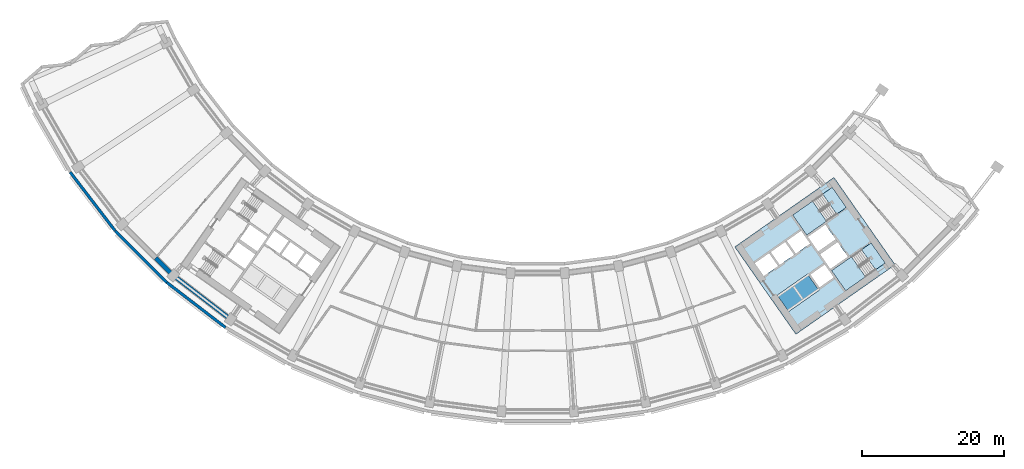
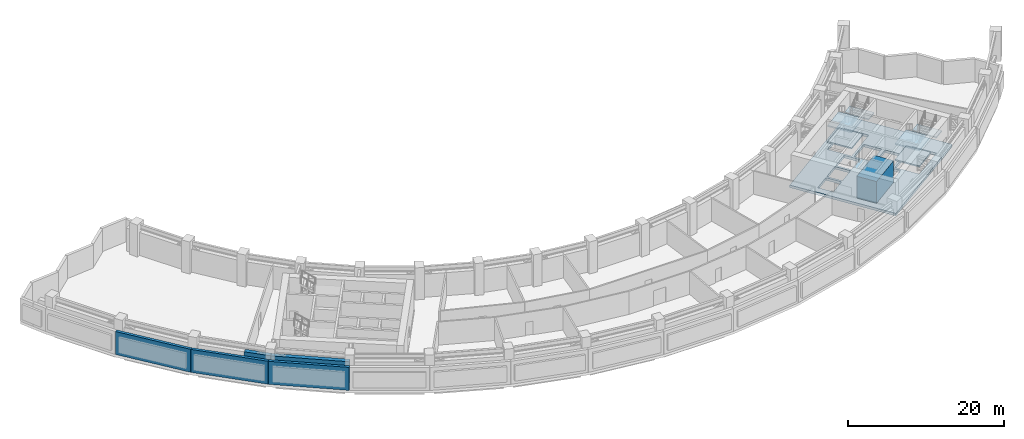
# One storey, part 5 of 25: 8 slabs, 5 walls, 2 elements without a shape of their own.
"""IFC4 building model written with IfcOpenShell, lengths in metres."""

from ifc_helpers import new_model, si_unit, direction, frame, frame_2d, origin, place, context, subcontext, project, spatial, polyline, rectangle, outline, extrude, material, layer, layer_set, type_object, element, aggregate, save


model = new_model("IFC4")

# Units and contexts
model_context = context("Model", 3, precision=1e-05, world=origin(), true_north=direction((0.0, 1.0)))
body_context = subcontext(model_context, "Body", "Model", "MODEL_VIEW")
ifc_project = project(units=[si_unit("LENGTHUNIT", "METRE"), si_unit("AREAUNIT", "SQUARE_METRE"), si_unit("VOLUMEUNIT", "CUBIC_METRE"), si_unit("PLANEANGLEUNIT", "RADIAN"), si_unit("MASSUNIT", "GRAM", prefix="KILO")], contexts=[model_context])

# Site, building, storey
site_placement = place(None, origin())
site = spatial("IfcSite", under=ifc_project, at=site_placement, CompositionType="ELEMENT")
building_placement = place(site_placement, origin())
building = spatial("IfcBuilding", under=site, at=building_placement, Name="Qamariyya Broadcast Tower", CompositionType="ELEMENT")
storey_placement = place(building_placement, frame((0.0, 0.0, 144.300048828125)))
storey = spatial("IfcBuildingStorey", under=building, at=storey_placement, Name="L33", CompositionType="ELEMENT", Elevation=144.300048828125)

# Slabs
ifc_material_1 = material(Name="Concrete C40/50", Category="concrete")
ifc_layer_1 = layer(ifc_material_1, 0.39990234375)
ifc_layer_set_1 = layer_set([ifc_layer_1], Name="Core floor slab 400 mm Concrete C40/50")
slab_type_1 = type_object("IfcSlabType", Name="Core floor slab 400 mm Concrete C40/50", PredefinedType="FLOOR", material=ifc_layer_set_1)
slab_1_placement = place(storey_placement, frame((0.0, 0.0, -0.400146484375)))
element("IfcSlab", 1, at=slab_1_placement, inside=storey, type_object=slab_type_1, Name="k-E-L33-slab", PredefinedType="FLOOR", context=body_context, shape_type="SweptSolid", body=[
    extrude(outline(polyline([(36.32373046875, -66.734375), (50.286376953125, -56.95751953125), (41.6826171875, -44.67041015625), (27.719970703125, -54.447021484375), (36.32373046875, -66.734375)]), holes=[polyline([(31.80859375, -58.542724609375), (33.8154296875, -57.137451171875), (32.5537109375, -55.335205078125), (30.546630859375, -56.740478515625), (31.80859375, -58.542724609375)]), polyline([(34.061279296875, -56.96533203125), (36.068115234375, -55.56005859375), (34.806396484375, -53.758056640625), (32.79931640625, -55.163330078125), (34.061279296875, -56.96533203125)]), polyline([(36.31396484375, -55.387939453125), (38.32080078125, -53.982666015625), (37.058837890625, -52.1806640625), (35.052001953125, -53.5859375), (36.31396484375, -55.387939453125)]), polyline([(38.378662109375, -58.3369140625), (40.3857421875, -56.931640625), (41.6474609375, -58.73388671875), (39.640625, -60.13916015625), (38.378662109375, -58.3369140625)]), polyline([(39.742431640625, -55.489990234375), (42.199951171875, -53.769287109375), (43.6337890625, -55.817138671875), (41.17626953125, -57.537841796875), (39.742431640625, -55.489990234375)]), polyline([(39.45556640625, -55.080322265625), (41.9130859375, -53.359619140625), (40.47900390625, -51.311767578125), (38.021728515625, -53.032470703125), (39.45556640625, -55.080322265625)]), polyline([(40.082275390625, -47.01171875), (35.870849609375, -49.960693359375), (37.849609375, -52.78662109375), (42.06103515625, -49.837890625), (40.082275390625, -47.01171875)]), polyline([(45.559814453125, -54.834716796875), (41.348388671875, -57.783447265625), (43.3271484375, -60.609619140625), (47.538818359375, -57.66064453125), (45.559814453125, -54.834716796875)])]), origin(), (0.0, 0.0, 1.0), 0.400146484375),
])
ifc_layer_2 = layer(ifc_material_1, 3.39990234375)
ifc_layer_set_2 = layer_set([ifc_layer_2], Name="Lift plinth slab 3400 mm Concrete C40/50")
slab_type_2 = type_object("IfcSlabType", Name="Lift plinth slab 3400 mm Concrete C40/50", PredefinedType="BASESLAB", material=ifc_layer_set_2)
slab_2_placement = place(storey_placement, origin())
element("IfcSlab", 2, at=slab_2_placement, inside=storey, type_object=slab_type_2, Name="k-E-L33-SPB0", PredefinedType="BASESLAB", context=body_context, shape_type="SweptSolid", body=[
    extrude(outline(polyline([(33.701416015625, -61.245849609375), (37.9609375, -58.26318359375), (39.56689453125, -60.556884765625), (35.307373046875, -63.53955078125), (33.701416015625, -61.245849609375)])), origin(), (0.0, 0.0, 1.0), 3.39990234375),
])

# Stair, slabs
ifc_material_2 = material(Name="Concrete C50/60", Category="concrete")
stair_type = type_object("IfcStairType", Name="Exit stair 28 risers of 179 mm", PredefinedType="HALF_TURN_STAIR", material=ifc_material_2)
stair_1_placement = place(storey_placement, origin())
stair_1 = element("IfcStair", 3, at=stair_1_placement, inside=storey, type_object=stair_type, Name="L33 Stair E2", PredefinedType="HALF_TURN_STAIR")
ifc_layer_3 = layer(ifc_material_2, 0.199951171875)
ifc_layer_set_3 = layer_set([ifc_layer_3], Name="Stair landing")
slab_type_3 = type_object("IfcSlabType", Name="Stair landing", PredefinedType="LANDING", material=ifc_layer_set_3)
slab_3_placement = place(storey_placement, frame((0.0, 0.0, 1.050048828125)))
slab_3 = element("IfcSlab", 4, at=slab_3_placement, type_object=slab_type_3, Name="ST-E2 landing 1", PredefinedType="LANDING", context=body_context, shape_type="SweptSolid", body=[
    extrude(outline(polyline([(38.66357421875, -48.005126953125), (35.870849609375, -49.960693359375), (37.849609375, -52.78662109375), (40.642333984375, -50.831298828125), (38.66357421875, -48.005126953125)])), origin(), (0.0, 0.0, 1.0), 0.199951171875),
])
slab_4_placement = place(storey_placement, frame((0.0, 0.0, 2.300048828125)))
slab_4 = element("IfcSlab", 5, at=slab_4_placement, type_object=slab_type_3, Name="ST-E2 landing 2", PredefinedType="LANDING", context=body_context, shape_type="SweptSolid", body=[
    extrude(outline(polyline([(41.437255859375, -46.06298828125), (40.082275390625, -47.01171875), (42.06103515625, -49.837890625), (43.416015625, -48.88916015625), (41.437255859375, -46.06298828125)])), origin(), (0.0, 0.0, 1.0), 0.199951171875),
])
slab_5_placement = place(storey_placement, frame((0.0, 0.0, 3.550048828125)))
slab_5 = element("IfcSlab", 6, at=slab_5_placement, type_object=slab_type_3, Name="ST-E2 landing 3", PredefinedType="LANDING", context=body_context, shape_type="SweptSolid", body=[
    extrude(outline(polyline([(38.66357421875, -48.005126953125), (35.870849609375, -49.960693359375), (37.849609375, -52.78662109375), (40.642333984375, -50.831298828125), (38.66357421875, -48.005126953125)])), origin(), (0.0, 0.0, 1.0), 0.199951171875),
])
aggregate(stair_1, [slab_3, slab_4, slab_5])

stair_2_placement = place(storey_placement, origin())
stair_2 = element("IfcStair", 7, at=stair_2_placement, inside=storey, type_object=stair_type, Name="L33 Stair E1", PredefinedType="HALF_TURN_STAIR")
slab_6_placement = place(storey_placement, frame((0.0, 0.0, 1.050048828125)))
slab_6 = element("IfcSlab", 8, at=slab_6_placement, type_object=slab_type_3, Name="ST-E1 landing 1", PredefinedType="LANDING", context=body_context, shape_type="SweptSolid", body=[
    extrude(outline(polyline([(44.14111328125, -55.828125), (41.348388671875, -57.783447265625), (43.3271484375, -60.609619140625), (46.1201171875, -58.654052734375), (44.14111328125, -55.828125)])), origin(), (0.0, 0.0, 1.0), 0.199951171875),
])
slab_7_placement = place(storey_placement, frame((0.0, 0.0, 2.300048828125)))
slab_7 = element("IfcSlab", 9, at=slab_7_placement, type_object=slab_type_3, Name="ST-E1 landing 2", PredefinedType="LANDING", context=body_context, shape_type="SweptSolid", body=[
    extrude(outline(polyline([(46.914794921875, -53.885986328125), (45.559814453125, -54.834716796875), (47.538818359375, -57.66064453125), (48.8935546875, -56.7119140625), (46.914794921875, -53.885986328125)])), origin(), (0.0, 0.0, 1.0), 0.199951171875),
])
slab_8_placement = place(storey_placement, frame((0.0, 0.0, 3.550048828125)))
slab_8 = element("IfcSlab", 10, at=slab_8_placement, type_object=slab_type_3, Name="ST-E1 landing 3", PredefinedType="LANDING", context=body_context, shape_type="SweptSolid", body=[
    extrude(outline(polyline([(44.14111328125, -55.828125), (41.348388671875, -57.783447265625), (43.3271484375, -60.609619140625), (46.1201171875, -58.654052734375), (44.14111328125, -55.828125)])), origin(), (0.0, 0.0, 1.0), 0.199951171875),
])
aggregate(stair_2, [slab_6, slab_7, slab_8])

# Walls
ifc_material_3 = material(Name="Terracotta", Category="masonry")
ifc_layer_4 = layer(ifc_material_3, 0.39990234375)
ifc_layer_set_4 = layer_set([ifc_layer_4], Name="Terracotta clad plant wall 400")
wall_type_1 = type_object("IfcWallType", Name="Terracotta clad plant wall 400", PredefinedType="SOLIDWALL", material=ifc_layer_set_4)
wall_1_placement = place(storey_placement, frame((-65.7841796875, -43.925537109375, 0.0), z_axis=(0.0, 0.0, 1.0), x_axis=(0.608759325965, -0.793354954009, 0.0)))
element("IfcWall", 11, at=wall_1_placement, inside=storey, type_object=wall_type_1, Name="e-wl-L33-out20", PredefinedType="SOLIDWALL", context=body_context, shape_type="SweptSolid", body=[
    extrude(rectangle(XDim=10.396728515625, YDim=0.39990234375, at=frame_2d((5.1982421875, 0.0))), origin(), (0.0, 0.0, 1.0), 3.599853515625),
])
wall_2_placement = place(storey_placement, frame((-59.434326171875, -52.18994140625, 0.0), z_axis=(0.0, 0.0, 1.0), x_axis=(0.707106781187, -0.707106781187, 0.0)))
element("IfcWall", 12, at=wall_2_placement, inside=storey, type_object=wall_type_1, Name="e-wl-L33-out30", PredefinedType="SOLIDWALL", context=body_context, shape_type="SweptSolid", body=[
    extrude(rectangle(XDim=10.2451171875, YDim=0.39990234375, at=frame_2d((5.12255859375, 0.0))), origin(), (0.0, 0.0, 1.0), 3.599853515625),
])
wall_3_placement = place(storey_placement, frame((-52.173828125, -59.455078125, 0.0), z_axis=(0.0, 0.0, 1.0), x_axis=(0.793354954009, -0.608759325965, 0.0)))
element("IfcWall", 13, at=wall_3_placement, inside=storey, type_object=wall_type_1, Name="e-wl-L33-out40", PredefinedType="SOLIDWALL", context=body_context, shape_type="SweptSolid", body=[
    extrude(rectangle(XDim=10.396728515625, YDim=0.39990234375, at=frame_2d((5.1982421875, 0.0))), origin(), (0.0, 0.0, 1.0), 3.599853515625),
])
ifc_material_4 = material(Name="Masonry block wall", Category="masonry")
ifc_layer_5 = layer(ifc_material_4, 0.60009765625)
ifc_layer_set_5 = layer_set([ifc_layer_5], Name="Truss casing wall 600 EI 120")
wall_type_2 = type_object("IfcWallType", Name="Truss casing wall 600 EI 120", PredefinedType="PARTITIONING", material=ifc_layer_set_5)
wall_4_placement = place(storey_placement, frame((-53.72119140625, -55.99853515625, 0.0), z_axis=(0.0, 0.0, 1.0), x_axis=(0.707106781187, -0.707106781187, 0.0)))
element("IfcWall", 14, at=wall_4_placement, inside=storey, type_object=wall_type_2, Name="Partition L33-005", PredefinedType="PARTITIONING", context=body_context, shape_type="SweptSolid", body=[
    extrude(rectangle(XDim=3.451904296875, YDim=0.60009765625, at=frame_2d((1.72607421875, 0.0))), origin(), (0.0, 0.0, 1.0), 3.599853515625),
])
wall_5_placement = place(storey_placement, frame((-51.24609375, -58.46923828125, 0.0), z_axis=(0.0, 0.0, 1.0), x_axis=(0.793339659144, -0.608779258212, 0.0)))
element("IfcWall", 15, at=wall_5_placement, inside=storey, type_object=wall_type_2, Name="Partition L33-008", PredefinedType="PARTITIONING", context=body_context, shape_type="SweptSolid", body=[
    extrude(rectangle(XDim=10.125, YDim=0.60009765625, at=frame_2d((5.0625, 0.0))), origin(), (0.0, 0.0, 1.0), 3.599853515625),
])

save(model, "model.ifc")
